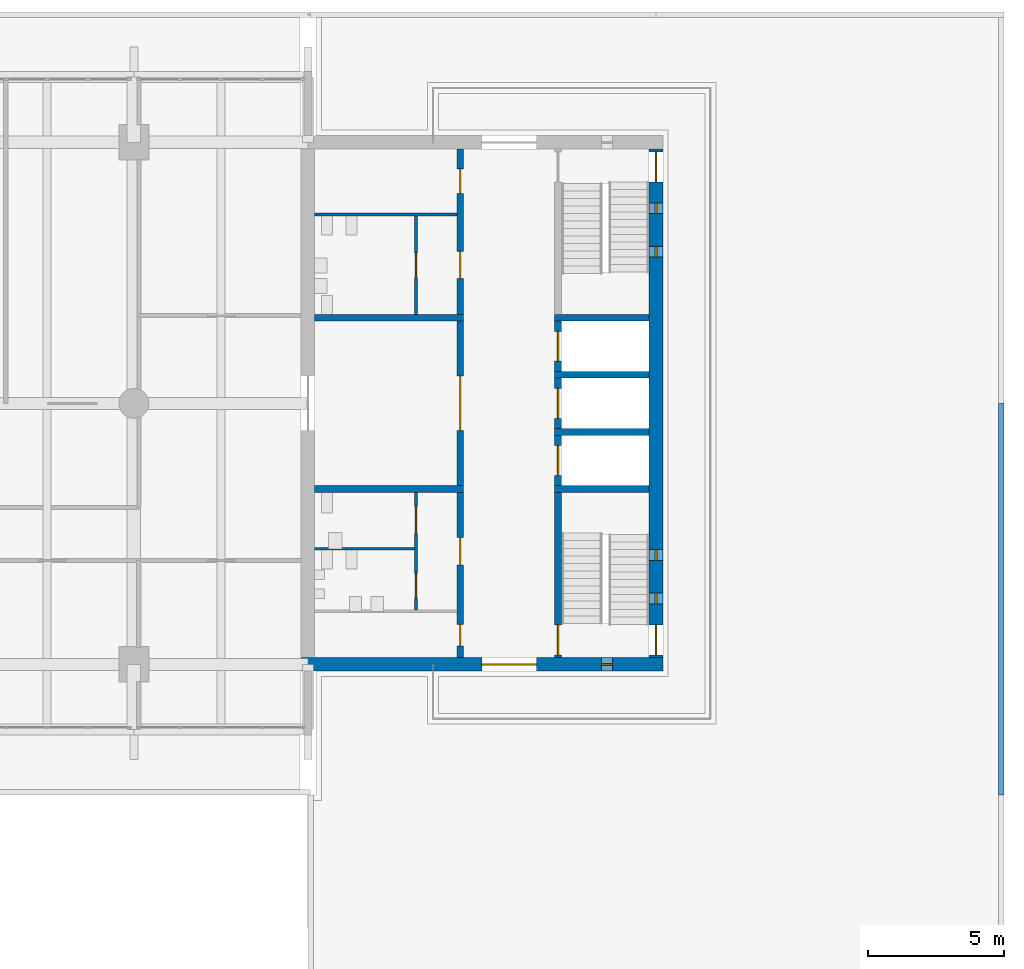
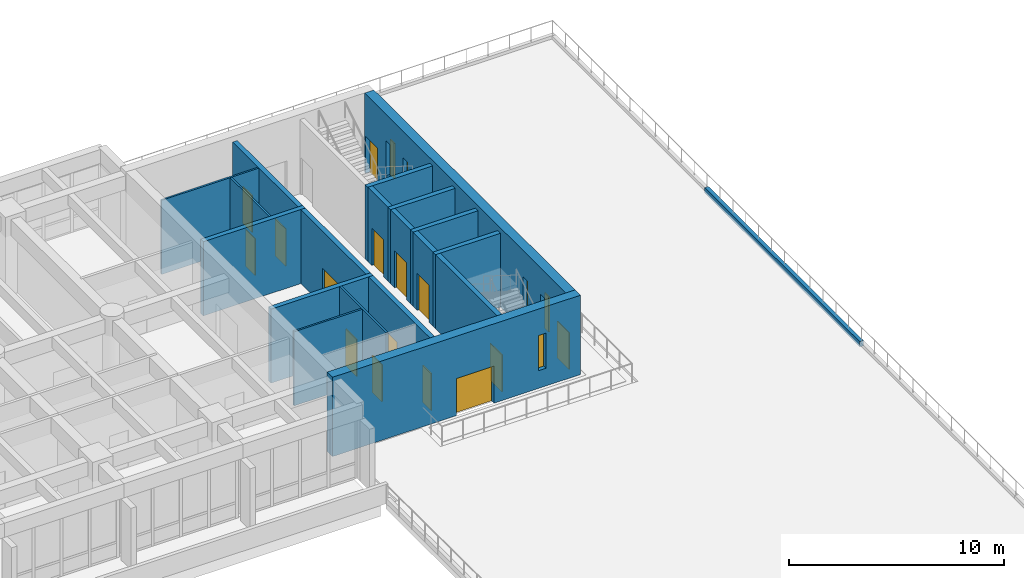
# One storey, part 14 of 21: 20 walls, 15 doors, 5 windows, 20 openings.
"""IFC4 building model written with IfcOpenShell, lengths in metres."""

from ifc_helpers import new_model, si_unit, direction, frame, frame_2d, origin, place, context, subcontext, project, spatial, rectangle, extrude, material, layer, layer_set, type_object, element, fill, save


model = new_model("IFC4")

# Units and contexts
model_context = context("Model", 3, precision=1e-05, world=origin(), true_north=direction((0.0, 1.0)))
body_context = subcontext(model_context, "Body", "Model", "MODEL_VIEW")
ifc_project = project(units=[si_unit("LENGTHUNIT", "METRE"), si_unit("AREAUNIT", "SQUARE_METRE"), si_unit("VOLUMEUNIT", "CUBIC_METRE"), si_unit("PLANEANGLEUNIT", "RADIAN"), si_unit("MASSUNIT", "GRAM", prefix="KILO")], contexts=[model_context])

# Site, building, storey
site_placement = place(None, origin())
site = spatial("IfcSite", under=ifc_project, at=site_placement, CompositionType="ELEMENT")
building_placement = place(site_placement, origin())
building = spatial("IfcBuilding", under=site, at=building_placement, Name="Fogon Plaza Fire Station and Headquarters Tower", CompositionType="ELEMENT")
storey_placement = place(building_placement, frame((0.0, 0.0, 8.39990234375)))
storey = spatial("IfcBuildingStorey", under=building, at=storey_placement, Name="L02", CompositionType="ELEMENT", Elevation=8.39990234375)

# Walls
ifc_material_1 = material(Name="Concrete C40", Category="concrete")
ifc_layer_1 = layer(ifc_material_1, 0.25)
ifc_layer_set_1 = layer_set([ifc_layer_1], Name="Concrete C40")
wall_type_1 = type_object("IfcWallType", Name="Core Wall RC 250", PredefinedType="SOLIDWALL", material=ifc_layer_set_1)
for number, where, z_axis, x_axis, name in (
    (1, (76.550048828125, 40.050048828125, 0.0), (0.0, 0.0, 1.0), (-1.0, 0.0, 0.0), "Core B shaft wall"),
    (2, (76.550048828125, 42.14990234375, 0.0), (0.0, 0.0, 1.0), (-1.0, 0.0, 0.0), "Core B shaft wall"),
    (3, (76.550048828125, 44.25, 0.0), (0.0, 0.0, 1.0), (-1.0, 0.0, 0.0), "Core B shaft wall"),
    (4, (76.550048828125, 46.35009765625, 0.0), (0.0, 0.0, 1.0), (-1.0, 0.0, 0.0), "Core B shaft wall"),
):
    element("IfcWall", number, at=place(storey_placement, frame(where, z_axis=z_axis, x_axis=x_axis)), inside=storey, type_object=wall_type_1, Name=name, PredefinedType="SOLIDWALL", context=body_context, shape_type="SweptSolid", body=[
        extrude(rectangle(XDim=3.47509765625, YDim=0.25, at=frame_2d((1.737548828125, 0.0))), origin(), (0.0, 0.0, 1.0), 4.2001953125),
    ])

# Wall, opening, door
wall_1_placement = place(storey_placement, frame((73.199951171875, 33.85009765625, 0.0), z_axis=(0.0, 0.0, 1.0), x_axis=(0.0, 1.0, 0.0)))
wall_1 = element("IfcWall", 5, at=wall_1_placement, inside=storey, type_object=wall_type_1, Name="Core B shaft wall", PredefinedType="SOLIDWALL", context=body_context, shape_type="SweptSolid", body=[
    extrude(rectangle(XDim=6.074951171875, YDim=0.25, at=frame_2d((3.03759765625, 0.0))), origin(), (0.0, 0.0, 1.0), 4.2001953125),
])
opening_1_placement = place(wall_1_placement, frame((0.10009765625, 0.0, 0.0)))
opening_1 = element("IfcOpeningElement", 6, at=opening_1_placement, cuts=wall_1, Name="Opening L02-D19", PredefinedType="OPENING", context=body_context, shape_type="SweptSolid", body=[
    extrude(rectangle(XDim=1.10009765625, YDim=2.10009765625, at=frame_2d((0.550048828125, 1.050048828125))), frame((0.0, 0.135009765625, 0.0), z_axis=(0.0, -1.0, 0.0), x_axis=(1.0, 0.0, 0.0)), (0.0, 0.0, 1.0), 0.27001953125),
])
ifc_material_2 = material(Name="Steel Fire Door Leaf", Category="steel")
door_type_1 = type_object("IfcDoorType", Name="Stair Door Single 1100x2100", OperationType="SINGLE_SWING_LEFT", PredefinedType="DOOR", material=ifc_material_2)
door_1_placement = place(opening_1_placement, frame((1.10009765625, 0.0, 0.0), z_axis=(0.0, 0.0, 1.0), x_axis=(-1.0, 0.0, 0.0)))
door_1 = element("IfcDoor", 7, at=door_1_placement, inside=storey, type_object=door_type_1, Name="Stair door ST3", OperationType="SINGLE_SWING_RIGHT", OverallHeight=2.10009765625, OverallWidth=1.10009765625, PredefinedType="DOOR", context=body_context, shape_type="SweptSolid", body=[
    extrude(rectangle(XDim=1.10009765625, YDim=2.10009765625, at=frame_2d((0.550048828125, 1.050048828125))), frame((0.0, 0.02490234375, 0.0), z_axis=(0.0, -1.0, 0.0), x_axis=(1.0, 0.0, 0.0)), (0.0, 0.0, 1.0), 0.050048828125),
])
fill(opening_1, door_1)

wall_2_placement = place(storey_placement, frame((73.199951171875, 40.175048828125, 0.0), z_axis=(0.0, 0.0, 1.0), x_axis=(0.0, 1.0, 0.0)))
wall_2 = element("IfcWall", 8, at=wall_2_placement, inside=storey, type_object=wall_type_1, Name="Core B shaft wall", PredefinedType="SOLIDWALL", context=body_context, shape_type="SweptSolid", body=[
    extrude(rectangle(XDim=1.849853515625, YDim=0.25, at=frame_2d((0.9248046875, 0.0))), origin(), (0.0, 0.0, 1.0), 4.2001953125),
])
opening_2_placement = place(wall_2_placement, frame((0.375, 0.0, 0.0)))
opening_2 = element("IfcOpeningElement", 9, at=opening_2_placement, cuts=wall_2, Name="Opening L02-D21", PredefinedType="OPENING", context=body_context, shape_type="SweptSolid", body=[
    extrude(rectangle(XDim=1.10009765625, YDim=2.10009765625, at=frame_2d((0.550048828125, 1.050048828125))), frame((0.0, 0.135009765625, 0.0), z_axis=(0.0, -1.0, 0.0), x_axis=(1.0, 0.0, 0.0)), (0.0, 0.0, 1.0), 0.27001953125),
])
ifc_material_3 = material(Name="Stainless Steel", Category="steel")
door_type_2 = type_object("IfcDoorType", Name="Lift Landing Door 1100x2100", OperationType="SLIDING_TO_LEFT", PredefinedType="DOOR", material=ifc_material_3)
door_2_placement = place(opening_2_placement, origin())
door_2 = element("IfcDoor", 10, at=door_2_placement, inside=storey, type_object=door_type_2, Name="Lift LP3 landing door", OperationType="SLIDING_TO_LEFT", OverallHeight=2.10009765625, OverallWidth=1.10009765625, PredefinedType="DOOR", context=body_context, shape_type="SweptSolid", body=[
    extrude(rectangle(XDim=1.10009765625, YDim=2.10009765625, at=frame_2d((0.550048828125, 1.050048828125))), frame((0.0, 0.02490234375, 0.0), z_axis=(0.0, -1.0, 0.0), x_axis=(1.0, 0.0, 0.0)), (0.0, 0.0, 1.0), 0.050048828125),
])
fill(opening_2, door_2)

wall_3_placement = place(storey_placement, frame((73.199951171875, 42.27490234375, 0.0), z_axis=(0.0, 0.0, 1.0), x_axis=(0.0, 1.0, 0.0)))
wall_3 = element("IfcWall", 11, at=wall_3_placement, inside=storey, type_object=wall_type_1, Name="Core B shaft wall", PredefinedType="SOLIDWALL", context=body_context, shape_type="SweptSolid", body=[
    extrude(rectangle(XDim=1.85009765625, YDim=0.25, at=frame_2d((0.925048828125, 0.0))), origin(), (0.0, 0.0, 1.0), 4.2001953125),
])
opening_3_placement = place(wall_3_placement, frame((0.375, 0.0, 0.0)))
opening_3 = element("IfcOpeningElement", 12, at=opening_3_placement, cuts=wall_3, Name="Opening L02-D22", PredefinedType="OPENING", context=body_context, shape_type="SweptSolid", body=[
    extrude(rectangle(XDim=1.10009765625, YDim=2.10009765625, at=frame_2d((0.550048828125, 1.050048828125))), frame((0.0, 0.135009765625, 0.0), z_axis=(0.0, -1.0, 0.0), x_axis=(1.0, 0.0, 0.0)), (0.0, 0.0, 1.0), 0.27001953125),
])
door_3_placement = place(opening_3_placement, origin())
door_3 = element("IfcDoor", 13, at=door_3_placement, inside=storey, type_object=door_type_2, Name="Lift LP4 landing door", OperationType="SLIDING_TO_LEFT", OverallHeight=2.10009765625, OverallWidth=1.10009765625, PredefinedType="DOOR", context=body_context, shape_type="SweptSolid", body=[
    extrude(rectangle(XDim=1.10009765625, YDim=2.10009765625, at=frame_2d((0.550048828125, 1.050048828125))), frame((0.0, 0.02490234375, 0.0), z_axis=(0.0, -1.0, 0.0), x_axis=(1.0, 0.0, 0.0)), (0.0, 0.0, 1.0), 0.050048828125),
])
fill(opening_3, door_3)

wall_4_placement = place(storey_placement, frame((73.199951171875, 44.375, 0.0), z_axis=(0.0, 0.0, 1.0), x_axis=(0.0, 1.0, 0.0)))
wall_4 = element("IfcWall", 14, at=wall_4_placement, inside=storey, type_object=wall_type_1, Name="Core B shaft wall", PredefinedType="SOLIDWALL", context=body_context, shape_type="SweptSolid", body=[
    extrude(rectangle(XDim=1.85009765625, YDim=0.25, at=frame_2d((0.925048828125, 0.0))), origin(), (0.0, 0.0, 1.0), 4.2001953125),
])
opening_4_placement = place(wall_4_placement, frame((0.375, 0.0, 0.0)))
opening_4 = element("IfcOpeningElement", 15, at=opening_4_placement, cuts=wall_4, Name="Opening L02-D23", PredefinedType="OPENING", context=body_context, shape_type="SweptSolid", body=[
    extrude(rectangle(XDim=1.10009765625, YDim=2.10009765625, at=frame_2d((0.550048828125, 1.050048828125))), frame((0.0, 0.135009765625, 0.0), z_axis=(0.0, -1.0, 0.0), x_axis=(1.0, 0.0, 0.0)), (0.0, 0.0, 1.0), 0.27001953125),
])
door_4_placement = place(opening_4_placement, origin())
door_4 = element("IfcDoor", 16, at=door_4_placement, inside=storey, type_object=door_type_2, Name="Lift FL2 landing door", OperationType="SLIDING_TO_LEFT", OverallHeight=2.10009765625, OverallWidth=1.10009765625, PredefinedType="DOOR", context=body_context, shape_type="SweptSolid", body=[
    extrude(rectangle(XDim=1.10009765625, YDim=2.10009765625, at=frame_2d((0.550048828125, 1.050048828125))), frame((0.0, 0.02490234375, 0.0), z_axis=(0.0, -1.0, 0.0), x_axis=(1.0, 0.0, 0.0)), (0.0, 0.0, 1.0), 0.050048828125),
])
fill(opening_4, door_4)

# Wall, openings, doors
wall_5_placement = place(storey_placement, frame((69.60009765625, 33.85009765625, 0.0), z_axis=(0.0, 0.0, 1.0), x_axis=(0.0, 1.0, 0.0)))
wall_5 = element("IfcWall", 17, at=wall_5_placement, inside=storey, type_object=wall_type_1, Name="Core B shaft wall", PredefinedType="SOLIDWALL", context=body_context, shape_type="SweptSolid", body=[
    extrude(rectangle(XDim=6.074951171875, YDim=0.25, at=frame_2d((3.03759765625, 0.0))), origin(), (0.0, 0.0, 1.0), 4.2001953125),
])
opening_5_placement = place(wall_5_placement, frame((0.425048828125, 0.0, 0.0)))
opening_5 = element("IfcOpeningElement", 18, at=opening_5_placement, cuts=wall_5, Name="Opening L02-D26", PredefinedType="OPENING", context=body_context, shape_type="SweptSolid", body=[
    extrude(rectangle(XDim=0.800048828125, YDim=2.10009765625, at=frame_2d((0.39990234375, 1.050048828125))), frame((0.0, 0.135009765625, 0.0), z_axis=(0.0, -1.0, 0.0), x_axis=(1.0, 0.0, 0.0)), (0.0, 0.0, 1.0), 0.27001953125),
])
opening_6_placement = place(wall_5_placement, frame((3.41259765625, 0.0, 0.0)))
opening_6 = element("IfcOpeningElement", 19, at=opening_6_placement, cuts=wall_5, Name="Opening L02-D27", PredefinedType="OPENING", context=body_context, shape_type="SweptSolid", body=[
    extrude(rectangle(XDim=1.0, YDim=2.10009765625, at=frame_2d((0.5, 1.050048828125))), frame((0.0, 0.135009765625, 0.0), z_axis=(0.0, -1.0, 0.0), x_axis=(1.0, 0.0, 0.0)), (0.0, 0.0, 1.0), 0.27001953125),
])
ifc_material_4 = material(Name="Timber Door Leaf", Category="wood")
door_type_3 = type_object("IfcDoorType", Name="Cleaner Store Single 800x2100", OperationType="SINGLE_SWING_LEFT", PredefinedType="DOOR", material=ifc_material_4)
door_5_placement = place(opening_5_placement, origin())
door_5 = element("IfcDoor", 20, at=door_5_placement, inside=storey, type_object=door_type_3, Name="Cleaner's store B door", OperationType="SINGLE_SWING_LEFT", OverallHeight=2.10009765625, OverallWidth=0.800048828125, PredefinedType="DOOR", context=body_context, shape_type="SweptSolid", body=[
    extrude(rectangle(XDim=0.800048828125, YDim=2.10009765625, at=frame_2d((0.39990234375, 1.050048828125))), frame((0.0, 0.02490234375, 0.0), z_axis=(0.0, -1.0, 0.0), x_axis=(1.0, 0.0, 0.0)), (0.0, 0.0, 1.0), 0.050048828125),
])
fill(opening_5, door_5)
ifc_material_5 = material(Name="Timber fire door", Category="wood")
door_type_4 = type_object("IfcDoorType", Name="WC Lobby Single 1000x2100", OperationType="SINGLE_SWING_LEFT", PredefinedType="DOOR", material=ifc_material_5)
door_6_placement = place(opening_6_placement, origin())
door_6 = element("IfcDoor", 21, at=door_6_placement, inside=storey, type_object=door_type_4, Name="Men's WC lobby B door", OperationType="SINGLE_SWING_RIGHT", OverallHeight=2.10009765625, OverallWidth=1.0, PredefinedType="DOOR", context=body_context, shape_type="SweptSolid", body=[
    extrude(rectangle(XDim=1.0, YDim=2.10009765625, at=frame_2d((0.5, 1.050048828125))), frame((0.0, 0.02490234375, 0.0), z_axis=(0.0, -1.0, 0.0), x_axis=(1.0, 0.0, 0.0)), (0.0, 0.0, 1.0), 0.050048828125),
])
fill(opening_6, door_6)

# Wall, opening, door
wall_6_placement = place(storey_placement, frame((69.60009765625, 40.175048828125, 0.0), z_axis=(0.0, 0.0, 1.0), x_axis=(0.0, 1.0, 0.0)))
wall_6 = element("IfcWall", 22, at=wall_6_placement, inside=storey, type_object=wall_type_1, Name="Core B shaft wall", PredefinedType="SOLIDWALL", context=body_context, shape_type="SweptSolid", body=[
    extrude(rectangle(XDim=6.050048828125, YDim=0.25, at=frame_2d((3.02490234375, 0.0))), origin(), (0.0, 0.0, 1.0), 4.2001953125),
])
opening_7_placement = place(wall_6_placement, frame((2.02490234375, 0.0, 0.0)))
opening_7 = element("IfcOpeningElement", 23, at=opening_7_placement, cuts=wall_6, Name="Opening L02-D24", PredefinedType="OPENING", context=body_context, shape_type="SweptSolid", body=[
    extrude(rectangle(XDim=2.0, YDim=2.10009765625, at=frame_2d((1.0, 1.050048828125))), frame((0.0, 0.135009765625, 0.0), z_axis=(0.0, -1.0, 0.0), x_axis=(1.0, 0.0, 0.0)), (0.0, 0.0, 1.0), 0.27001953125),
])
ifc_material_6 = material(Name="Steel Fire Door Leaf", Category="steel")
door_type_5 = type_object("IfcDoorType", Name="Vestibule Double 2000x2100", OperationType="DOUBLE_DOOR_SINGLE_SWING", PredefinedType="DOOR", material=ifc_material_6)
door_7_placement = place(opening_7_placement, origin())
door_7 = element("IfcDoor", 24, at=door_7_placement, inside=storey, type_object=door_type_5, Name="Vestibule B door", OperationType="DOUBLE_DOOR_SINGLE_SWING", OverallHeight=2.10009765625, OverallWidth=2.0, PredefinedType="DOOR", context=body_context, shape_type="SweptSolid", body=[
    extrude(rectangle(XDim=2.0, YDim=2.10009765625, at=frame_2d((1.0, 1.050048828125))), frame((0.0, 0.02490234375, 0.0), z_axis=(0.0, -1.0, 0.0), x_axis=(1.0, 0.0, 0.0)), (0.0, 0.0, 1.0), 0.050048828125),
])
fill(opening_7, door_7)

# Wall, openings, doors
wall_7_placement = place(storey_placement, frame((69.60009765625, 46.47509765625, 0.0), z_axis=(0.0, 0.0, 1.0), x_axis=(0.0, 1.0, 0.0)))
wall_7 = element("IfcWall", 25, at=wall_7_placement, inside=storey, type_object=wall_type_1, Name="Core B shaft wall", PredefinedType="SOLIDWALL", context=body_context, shape_type="SweptSolid", body=[
    extrude(rectangle(XDim=6.074951171875, YDim=0.25, at=frame_2d((3.03759765625, 0.0))), origin(), (0.0, 0.0, 1.0), 4.2001953125),
])
opening_8_placement = place(wall_7_placement, frame((1.3125, 0.0, 0.0)))
opening_8 = element("IfcOpeningElement", 26, at=opening_8_placement, cuts=wall_7, Name="Opening L02-D30", PredefinedType="OPENING", context=body_context, shape_type="SweptSolid", body=[
    extrude(rectangle(XDim=1.0, YDim=2.10009765625, at=frame_2d((0.5, 1.050048828125))), frame((0.0, 0.135009765625, 0.0), z_axis=(0.0, -1.0, 0.0), x_axis=(1.0, 0.0, 0.0)), (0.0, 0.0, 1.0), 0.27001953125),
])
opening_9_placement = place(wall_7_placement, frame((4.449951171875, 0.0, 0.0)))
opening_9 = element("IfcOpeningElement", 27, at=opening_9_placement, cuts=wall_7, Name="Opening L02-D32", PredefinedType="OPENING", context=body_context, shape_type="SweptSolid", body=[
    extrude(rectangle(XDim=0.89990234375, YDim=2.10009765625, at=frame_2d((0.449951171875, 1.050048828125))), frame((0.0, 0.135009765625, 0.0), z_axis=(0.0, -1.0, 0.0), x_axis=(1.0, 0.0, 0.0)), (0.0, 0.0, 1.0), 0.27001953125),
])
ifc_material_7 = material(Name="Steel Fire Door Leaf", Category="steel")
door_type_6 = type_object("IfcDoorType", Name="Riser Single 900x2100", OperationType="SINGLE_SWING_LEFT", PredefinedType="DOOR", material=ifc_material_7)
door_8_placement = place(opening_9_placement, origin())
door_8 = element("IfcDoor", 28, at=door_8_placement, inside=storey, type_object=door_type_6, Name="Riser room B door", OperationType="SINGLE_SWING_LEFT", OverallHeight=2.10009765625, OverallWidth=0.89990234375, PredefinedType="DOOR", context=body_context, shape_type="SweptSolid", body=[
    extrude(rectangle(XDim=0.89990234375, YDim=2.10009765625, at=frame_2d((0.449951171875, 1.050048828125))), frame((0.0, 0.02490234375, 0.0), z_axis=(0.0, -1.0, 0.0), x_axis=(1.0, 0.0, 0.0)), (0.0, 0.0, 1.0), 0.050048828125),
])
fill(opening_9, door_8)
door_9_placement = place(opening_8_placement, origin())
door_9 = element("IfcDoor", 29, at=door_9_placement, inside=storey, type_object=door_type_4, Name="Women's WC lobby B door", OperationType="SINGLE_SWING_LEFT", OverallHeight=2.10009765625, OverallWidth=1.0, PredefinedType="DOOR", context=body_context, shape_type="SweptSolid", body=[
    extrude(rectangle(XDim=1.0, YDim=2.10009765625, at=frame_2d((0.5, 1.050048828125))), frame((0.0, 0.02490234375, 0.0), z_axis=(0.0, -1.0, 0.0), x_axis=(1.0, 0.0, 0.0)), (0.0, 0.0, 1.0), 0.050048828125),
])
fill(opening_8, door_9)

# Walls
for number, where, z_axis, x_axis, name in (
    (30, (69.72509765625, 40.050048828125, 0.0), (0.0, 0.0, 1.0), (-1.0, 0.0, 0.0), "Core B shaft wall"),
    (31, (69.72509765625, 46.35009765625, 0.0), (0.0, 0.0, 1.0), (-1.0, 0.0, 0.0), "Core B shaft wall"),
):
    element("IfcWall", number, at=place(storey_placement, frame(where, z_axis=z_axis, x_axis=x_axis)), inside=storey, type_object=wall_type_1, Name=name, PredefinedType="SOLIDWALL", context=body_context, shape_type="SweptSolid", body=[
        extrude(rectangle(XDim=5.47509765625, YDim=0.25, at=frame_2d((2.737548828125, 0.0))), origin(), (0.0, 0.0, 1.0), 4.2001953125),
    ])

# Wall, openings, doors
ifc_material_8 = material(Name="Blockwork", Category="masonry")
ifc_layer_2 = layer(ifc_material_8, 0.10009765625)
ifc_layer_set_2 = layer_set([ifc_layer_2], Name="Blockwork")
wall_type_2 = type_object("IfcWallType", Name="Partition Blockwork 100", PredefinedType="PARTITIONING", material=ifc_layer_set_2)
wall_8_placement = place(storey_placement, frame((67.97509765625, 35.60009765625, 0.0), z_axis=(0.0, 0.0, 1.0), x_axis=(0.0, 1.0, 0.0)))
wall_8 = element("IfcWall", 32, at=wall_8_placement, inside=storey, type_object=wall_type_2, Name="WC block partition", PredefinedType="PARTITIONING", context=body_context, shape_type="SweptSolid", body=[
    extrude(rectangle(XDim=4.324951171875, YDim=0.10009765625, at=frame_2d((2.16259765625, 0.0))), origin(), (0.0, 0.0, 1.0), 4.2001953125),
])
opening_10_placement = place(wall_8_placement, frame((0.449951171875, 0.0, 0.0)))
opening_10 = element("IfcOpeningElement", 33, at=opening_10_placement, cuts=wall_8, Name="Opening L02-D28", PredefinedType="OPENING", context=body_context, shape_type="SweptSolid", body=[
    extrude(rectangle(XDim=0.89990234375, YDim=2.10009765625, at=frame_2d((0.449951171875, 1.050048828125))), frame((0.0, 0.06005859375, 0.0), z_axis=(0.0, -1.0, 0.0), x_axis=(1.0, 0.0, 0.0)), (0.0, 0.0, 1.0), 0.1201171875),
])
opening_11_placement = place(wall_8_placement, frame((2.8125, 0.0, 0.0)))
opening_11 = element("IfcOpeningElement", 34, at=opening_11_placement, cuts=wall_8, Name="Opening L02-D29", PredefinedType="OPENING", context=body_context, shape_type="SweptSolid", body=[
    extrude(rectangle(XDim=1.0, YDim=2.10009765625, at=frame_2d((0.5, 1.050048828125))), frame((0.0, 0.06005859375, 0.0), z_axis=(0.0, -1.0, 0.0), x_axis=(1.0, 0.0, 0.0)), (0.0, 0.0, 1.0), 0.1201171875),
])
ifc_material_9 = material(Name="Timber Door Leaf", Category="wood")
door_type_7 = type_object("IfcDoorType", Name="Accessible WC Single 1000x2100", OperationType="SINGLE_SWING_LEFT", PredefinedType="DOOR", material=ifc_material_9)
door_10_placement = place(opening_11_placement, origin())
door_10 = element("IfcDoor", 35, at=door_10_placement, inside=storey, type_object=door_type_7, Name="Accessible WC B door", OperationType="SINGLE_SWING_RIGHT", OverallHeight=2.10009765625, OverallWidth=1.0, PredefinedType="DOOR", context=body_context, shape_type="SweptSolid", body=[
    extrude(rectangle(XDim=1.0, YDim=2.10009765625, at=frame_2d((0.5, 1.050048828125))), frame((0.0, 0.02490234375, 0.0), z_axis=(0.0, -1.0, 0.0), x_axis=(1.0, 0.0, 0.0)), (0.0, 0.0, 1.0), 0.050048828125),
])
fill(opening_11, door_10)
ifc_material_10 = material(Name="Timber Door Leaf", Category="wood")
door_type_8 = type_object("IfcDoorType", Name="WC Single 900x2100", OperationType="SINGLE_SWING_LEFT", PredefinedType="DOOR", material=ifc_material_10)
door_11_placement = place(opening_10_placement, origin())
door_11 = element("IfcDoor", 36, at=door_11_placement, inside=storey, type_object=door_type_8, Name="Men's WC B door", OperationType="SINGLE_SWING_LEFT", OverallHeight=2.10009765625, OverallWidth=0.89990234375, PredefinedType="DOOR", context=body_context, shape_type="SweptSolid", body=[
    extrude(rectangle(XDim=0.89990234375, YDim=2.10009765625, at=frame_2d((0.449951171875, 1.050048828125))), frame((0.0, 0.02490234375, 0.0), z_axis=(0.0, -1.0, 0.0), x_axis=(1.0, 0.0, 0.0)), (0.0, 0.0, 1.0), 0.050048828125),
])
fill(opening_10, door_11)

# Wall
wall_9_placement = place(storey_placement, frame((67.925048828125, 37.85009765625, 0.0), z_axis=(0.0, 0.0, 1.0), x_axis=(-1.0, 0.0, 0.0)))
element("IfcWall", 37, at=wall_9_placement, inside=storey, type_object=wall_type_2, Name="WC block partition", PredefinedType="PARTITIONING", context=body_context, shape_type="SweptSolid", body=[
    extrude(rectangle(XDim=3.675048828125, YDim=0.10009765625, at=frame_2d((1.83740234375, 0.0))), origin(), (0.0, 0.0, 1.0), 4.2001953125),
])

# Wall, opening, door
wall_10_placement = place(storey_placement, frame((67.97509765625, 46.47509765625, 0.0), z_axis=(0.0, 0.0, 1.0), x_axis=(0.0, 1.0, 0.0)))
wall_10 = element("IfcWall", 38, at=wall_10_placement, inside=storey, type_object=wall_type_2, Name="WC block partition", PredefinedType="PARTITIONING", context=body_context, shape_type="SweptSolid", body=[
    extrude(rectangle(XDim=3.625, YDim=0.10009765625, at=frame_2d((1.8125, 0.0))), origin(), (0.0, 0.0, 1.0), 4.2001953125),
])
opening_12_placement = place(wall_10_placement, frame((1.362548828125, 0.0, 0.0)))
opening_12 = element("IfcOpeningElement", 39, at=opening_12_placement, cuts=wall_10, Name="Opening L02-D31", PredefinedType="OPENING", context=body_context, shape_type="SweptSolid", body=[
    extrude(rectangle(XDim=0.89990234375, YDim=2.10009765625, at=frame_2d((0.449951171875, 1.050048828125))), frame((0.0, 0.06005859375, 0.0), z_axis=(0.0, -1.0, 0.0), x_axis=(1.0, 0.0, 0.0)), (0.0, 0.0, 1.0), 0.1201171875),
])
door_12_placement = place(opening_12_placement, origin())
door_12 = element("IfcDoor", 40, at=door_12_placement, inside=storey, type_object=door_type_8, Name="Women's WC B door", OperationType="SINGLE_SWING_RIGHT", OverallHeight=2.10009765625, OverallWidth=0.89990234375, PredefinedType="DOOR", context=body_context, shape_type="SweptSolid", body=[
    extrude(rectangle(XDim=0.89990234375, YDim=2.10009765625, at=frame_2d((0.449951171875, 1.050048828125))), frame((0.0, 0.02490234375, 0.0), z_axis=(0.0, -1.0, 0.0), x_axis=(1.0, 0.0, 0.0)), (0.0, 0.0, 1.0), 0.050048828125),
])
fill(opening_12, door_12)

# Wall
ifc_material_11 = material(Name="Blockwork", Category="masonry")
ifc_layer_3 = layer(ifc_material_11, 0.10009765625)
ifc_layer_set_3 = layer_set([ifc_layer_3], Name="Blockwork")
wall_type_3 = type_object("IfcWallType", Name="Riser Partition Blockwork 100", PredefinedType="PARTITIONING", material=ifc_layer_set_3)
wall_11_placement = place(storey_placement, frame((69.47509765625, 50.14990234375, 0.0), z_axis=(0.0, 0.0, 1.0), x_axis=(-1.0, 0.0, 0.0)))
element("IfcWall", 41, at=wall_11_placement, inside=storey, type_object=wall_type_3, Name="Riser room partition", PredefinedType="PARTITIONING", context=body_context, shape_type="SweptSolid", body=[
    extrude(rectangle(XDim=5.22509765625, YDim=0.10009765625, at=frame_2d((2.612548828125, 0.0))), origin(), (0.0, 0.0, 1.0), 4.2001953125),
])

# Wall, openings, door, window
ifc_material_12 = material(Name="Concrete C40", Category="concrete")
ifc_layer_4 = layer(ifc_material_12, 0.5)
ifc_layer_set_4 = layer_set([ifc_layer_4], Name="Concrete C40")
wall_type_4 = type_object("IfcWallType", Name="Shear wall 500 SW50", PredefinedType="SHEAR", material=ifc_layer_set_4)
wall_12_placement = place(storey_placement, frame((63.75, 33.60009765625, 0.0), z_axis=(0.0, 0.0, 1.0), x_axis=(1.0, 0.0, 0.0)))
wall_12 = element("IfcWall", 42, at=wall_12_placement, inside=storey, type_object=wall_type_4, Name="wall-coreB-S-L02", PredefinedType="SHEAR", context=body_context, shape_type="SweptSolid", body=[
    extrude(rectangle(XDim=13.300048828125, YDim=0.5, at=frame_2d((6.64990234375, 0.0))), origin(), (0.0, 0.0, 1.0), 4.5),
])
opening_13_placement = place(wall_12_placement, frame((11.050048828125, 0.0, 1.0)))
opening_13 = element("IfcOpeningElement", 43, at=opening_13_placement, cuts=wall_12, Name="Opening WS1", PredefinedType="OPENING", context=body_context, shape_type="SweptSolid", body=[
    extrude(rectangle(XDim=0.39990234375, YDim=2.0, at=frame_2d((0.199951171875, 1.0))), frame((0.0, 0.260009765625, 0.0), z_axis=(0.0, -1.0, 0.0), x_axis=(1.0, 0.0, 0.0)), (0.0, 0.0, 1.0), 0.52001953125),
])
opening_14_placement = place(wall_12_placement, frame((6.64990234375, 0.0, 0.0)))
opening_14 = element("IfcOpeningElement", 44, at=opening_14_placement, cuts=wall_12, Name="Opening L02-D33", PredefinedType="OPENING", context=body_context, shape_type="SweptSolid", body=[
    extrude(rectangle(XDim=2.0, YDim=2.10009765625, at=frame_2d((1.0, 1.050048828125))), frame((0.0, 0.260009765625, 0.0), z_axis=(0.0, -1.0, 0.0), x_axis=(1.0, 0.0, 0.0)), (0.0, 0.0, 1.0), 0.52001953125),
])
ifc_material_13 = material(Name="Steel Fire Door Leaf", Category="steel")
door_type_9 = type_object("IfcDoorType", Name="Core Lobby Double 2000x2100", OperationType="DOUBLE_DOOR_SINGLE_SWING", PredefinedType="DOOR", material=ifc_material_13)
door_13_placement = place(opening_14_placement, frame((2.0, 0.0, 0.0), z_axis=(0.0, 0.0, 1.0), x_axis=(-1.0, 0.0, 0.0)))
door_13 = element("IfcDoor", 45, at=door_13_placement, inside=storey, type_object=door_type_9, Name="Core B lobby door S", OperationType="DOUBLE_DOOR_SINGLE_SWING", OverallHeight=2.10009765625, OverallWidth=2.0, PredefinedType="DOOR", context=body_context, shape_type="SweptSolid", body=[
    extrude(rectangle(XDim=2.0, YDim=2.10009765625, at=frame_2d((1.0, 1.050048828125))), frame((0.0, 0.02490234375, 0.0), z_axis=(0.0, -1.0, 0.0), x_axis=(1.0, 0.0, 0.0)), (0.0, 0.0, 1.0), 0.050048828125),
])
fill(opening_14, door_13)
ifc_material_14 = material(Name="Aluminium framed double glazing", Category="aluminium")
window_type = type_object("IfcWindowType", Name="Slit Window WS1 400x2000", PartitioningType="SINGLE_PANEL", PredefinedType="WINDOW", material=ifc_material_14)
window_1_placement = place(opening_13_placement, origin())
window_1 = element("IfcWindow", 46, at=window_1_placement, inside=storey, type_object=window_type, Name="Slit window B5 L02", OverallHeight=2.0, OverallWidth=0.39990234375, PartitioningType="SINGLE_PANEL", PredefinedType="WINDOW", context=body_context, shape_type="SweptSolid", body=[
    extrude(rectangle(XDim=0.39990234375, YDim=2.0, at=frame_2d((0.199951171875, 1.0))), frame((0.0, 0.030029296875, 0.0), z_axis=(0.0, -1.0, 0.0), x_axis=(1.0, 0.0, 0.0)), (0.0, 0.0, 1.0), 0.06005859375),
])
fill(opening_13, window_1)

# Wall, openings, windows, doors
wall_13_placement = place(storey_placement, frame((76.800048828125, 33.85009765625, 0.0), z_axis=(0.0, 0.0, 1.0), x_axis=(0.0, 1.0, 0.0)))
wall_13 = element("IfcWall", 47, at=wall_13_placement, inside=storey, type_object=wall_type_4, Name="wall-coreB-E-L02", PredefinedType="SHEAR", context=body_context, shape_type="SweptSolid", body=[
    extrude(rectangle(XDim=18.699951171875, YDim=0.5, at=frame_2d((9.35009765625, 0.0))), origin(), (0.0, 0.0, 1.0), 4.5),
])
opening_15_placement = place(wall_13_placement, frame((1.97509765625, 0.0, 1.0)))
opening_15 = element("IfcOpeningElement", 48, at=opening_15_placement, cuts=wall_13, Name="Opening WS1", PredefinedType="OPENING", context=body_context, shape_type="SweptSolid", body=[
    extrude(rectangle(XDim=0.39990234375, YDim=2.0, at=frame_2d((0.199951171875, 1.0))), frame((0.0, 0.260009765625, 0.0), z_axis=(0.0, -1.0, 0.0), x_axis=(1.0, 0.0, 0.0)), (0.0, 0.0, 1.0), 0.52001953125),
])
opening_16_placement = place(wall_13_placement, frame((3.574951171875, 0.0, 1.0)))
opening_16 = element("IfcOpeningElement", 49, at=opening_16_placement, cuts=wall_13, Name="Opening WS1", PredefinedType="OPENING", context=body_context, shape_type="SweptSolid", body=[
    extrude(rectangle(XDim=0.39990234375, YDim=2.0, at=frame_2d((0.199951171875, 1.0))), frame((0.0, 0.260009765625, 0.0), z_axis=(0.0, -1.0, 0.0), x_axis=(1.0, 0.0, 0.0)), (0.0, 0.0, 1.0), 0.52001953125),
])
opening_17_placement = place(wall_13_placement, frame((14.72509765625, 0.0, 1.0)))
opening_17 = element("IfcOpeningElement", 50, at=opening_17_placement, cuts=wall_13, Name="Opening WS1", PredefinedType="OPENING", context=body_context, shape_type="SweptSolid", body=[
    extrude(rectangle(XDim=0.39990234375, YDim=2.0, at=frame_2d((0.199951171875, 1.0))), frame((0.0, 0.260009765625, 0.0), z_axis=(0.0, -1.0, 0.0), x_axis=(1.0, 0.0, 0.0)), (0.0, 0.0, 1.0), 0.52001953125),
])
opening_18_placement = place(wall_13_placement, frame((16.324951171875, 0.0, 1.0)))
opening_18 = element("IfcOpeningElement", 51, at=opening_18_placement, cuts=wall_13, Name="Opening WS1", PredefinedType="OPENING", context=body_context, shape_type="SweptSolid", body=[
    extrude(rectangle(XDim=0.39990234375, YDim=2.0, at=frame_2d((0.199951171875, 1.0))), frame((0.0, 0.260009765625, 0.0), z_axis=(0.0, -1.0, 0.0), x_axis=(1.0, 0.0, 0.0)), (0.0, 0.0, 1.0), 0.52001953125),
])
opening_19_placement = place(wall_13_placement, frame((0.10009765625, 0.0, 0.0)))
opening_19 = element("IfcOpeningElement", 52, at=opening_19_placement, cuts=wall_13, Name="Opening L02-D35", PredefinedType="OPENING", context=body_context, shape_type="SweptSolid", body=[
    extrude(rectangle(XDim=1.10009765625, YDim=2.10009765625, at=frame_2d((0.550048828125, 1.050048828125))), frame((0.0, 0.260009765625, 0.0), z_axis=(0.0, -1.0, 0.0), x_axis=(1.0, 0.0, 0.0)), (0.0, 0.0, 1.0), 0.52001953125),
])
opening_20_placement = place(wall_13_placement, frame((17.5, 0.0, 0.0)))
opening_20 = element("IfcOpeningElement", 53, at=opening_20_placement, cuts=wall_13, Name="Opening L02-D36", PredefinedType="OPENING", context=body_context, shape_type="SweptSolid", body=[
    extrude(rectangle(XDim=1.10009765625, YDim=2.10009765625, at=frame_2d((0.550048828125, 1.050048828125))), frame((0.0, 0.260009765625, 0.0), z_axis=(0.0, -1.0, 0.0), x_axis=(1.0, 0.0, 0.0)), (0.0, 0.0, 1.0), 0.52001953125),
])
window_2_placement = place(opening_15_placement, origin())
window_2 = element("IfcWindow", 54, at=window_2_placement, inside=storey, type_object=window_type, Name="Slit window B1 L02", OverallHeight=2.0, OverallWidth=0.39990234375, PartitioningType="SINGLE_PANEL", PredefinedType="WINDOW", context=body_context, shape_type="SweptSolid", body=[
    extrude(rectangle(XDim=0.39990234375, YDim=2.0, at=frame_2d((0.199951171875, 1.0))), frame((0.0, 0.030029296875, 0.0), z_axis=(0.0, -1.0, 0.0), x_axis=(1.0, 0.0, 0.0)), (0.0, 0.0, 1.0), 0.06005859375),
])
fill(opening_15, window_2)
window_3_placement = place(opening_16_placement, origin())
window_3 = element("IfcWindow", 55, at=window_3_placement, inside=storey, type_object=window_type, Name="Slit window B2 L02", OverallHeight=2.0, OverallWidth=0.39990234375, PartitioningType="SINGLE_PANEL", PredefinedType="WINDOW", context=body_context, shape_type="SweptSolid", body=[
    extrude(rectangle(XDim=0.39990234375, YDim=2.0, at=frame_2d((0.199951171875, 1.0))), frame((0.0, 0.030029296875, 0.0), z_axis=(0.0, -1.0, 0.0), x_axis=(1.0, 0.0, 0.0)), (0.0, 0.0, 1.0), 0.06005859375),
])
fill(opening_16, window_3)
window_4_placement = place(opening_17_placement, origin())
window_4 = element("IfcWindow", 56, at=window_4_placement, inside=storey, type_object=window_type, Name="Slit window B3 L02", OverallHeight=2.0, OverallWidth=0.39990234375, PartitioningType="SINGLE_PANEL", PredefinedType="WINDOW", context=body_context, shape_type="SweptSolid", body=[
    extrude(rectangle(XDim=0.39990234375, YDim=2.0, at=frame_2d((0.199951171875, 1.0))), frame((0.0, 0.030029296875, 0.0), z_axis=(0.0, -1.0, 0.0), x_axis=(1.0, 0.0, 0.0)), (0.0, 0.0, 1.0), 0.06005859375),
])
fill(opening_17, window_4)
window_5_placement = place(opening_18_placement, origin())
window_5 = element("IfcWindow", 57, at=window_5_placement, inside=storey, type_object=window_type, Name="Slit window B4 L02", OverallHeight=2.0, OverallWidth=0.39990234375, PartitioningType="SINGLE_PANEL", PredefinedType="WINDOW", context=body_context, shape_type="SweptSolid", body=[
    extrude(rectangle(XDim=0.39990234375, YDim=2.0, at=frame_2d((0.199951171875, 1.0))), frame((0.0, 0.030029296875, 0.0), z_axis=(0.0, -1.0, 0.0), x_axis=(1.0, 0.0, 0.0)), (0.0, 0.0, 1.0), 0.06005859375),
])
fill(opening_18, window_5)
door_14_placement = place(opening_19_placement, frame((1.10009765625, 0.0, 0.0), z_axis=(0.0, 0.0, 1.0), x_axis=(-1.0, 0.0, 0.0)))
door_14 = element("IfcDoor", 58, at=door_14_placement, inside=storey, type_object=door_type_1, Name="Stair ST3 terrace door", OperationType="SINGLE_SWING_LEFT", OverallHeight=2.10009765625, OverallWidth=1.10009765625, PredefinedType="DOOR", context=body_context, shape_type="SweptSolid", body=[
    extrude(rectangle(XDim=1.10009765625, YDim=2.10009765625, at=frame_2d((0.550048828125, 1.050048828125))), frame((0.0, 0.02490234375, 0.0), z_axis=(0.0, -1.0, 0.0), x_axis=(1.0, 0.0, 0.0)), (0.0, 0.0, 1.0), 0.050048828125),
])
fill(opening_19, door_14)
door_15_placement = place(opening_20_placement, frame((1.10009765625, 0.0, 0.0), z_axis=(0.0, 0.0, 1.0), x_axis=(-1.0, 0.0, 0.0)))
door_15 = element("IfcDoor", 59, at=door_15_placement, inside=storey, type_object=door_type_1, Name="Stair ST4 terrace door", OperationType="SINGLE_SWING_RIGHT", OverallHeight=2.10009765625, OverallWidth=1.10009765625, PredefinedType="DOOR", context=body_context, shape_type="SweptSolid", body=[
    extrude(rectangle(XDim=1.10009765625, YDim=2.10009765625, at=frame_2d((0.550048828125, 1.050048828125))), frame((0.0, 0.02490234375, 0.0), z_axis=(0.0, -1.0, 0.0), x_axis=(1.0, 0.0, 0.0)), (0.0, 0.0, 1.0), 0.050048828125),
])
fill(opening_20, door_15)

# Wall
ifc_material_15 = material(Name="Concrete C40", Category="concrete")
ifc_layer_5 = layer(ifc_material_15, 0.199951171875)
ifc_layer_set_5 = layer_set([ifc_layer_5], Name="Concrete C40")
wall_type_5 = type_object("IfcWallType", Name="Upstand Kerb RC 200x300", PredefinedType="PARAPET", material=ifc_layer_set_5)
wall_14_placement = place(storey_placement, frame((89.5, 28.800048828125, 0.0), z_axis=(0.0, 0.0, 1.0), x_axis=(0.0, 1.0, 0.0)))
element("IfcWall", 60, at=wall_14_placement, inside=storey, type_object=wall_type_5, Name="wall-L02-UKE007", PredefinedType="PARAPET", context=body_context, shape_type="SweptSolid", body=[
    extrude(rectangle(XDim=14.39990234375, YDim=0.199951171875, at=frame_2d((7.199951171875, 0.0))), origin(), (0.0, 0.0, 1.0), 0.300048828125),
])

save(model, "model.ifc")
